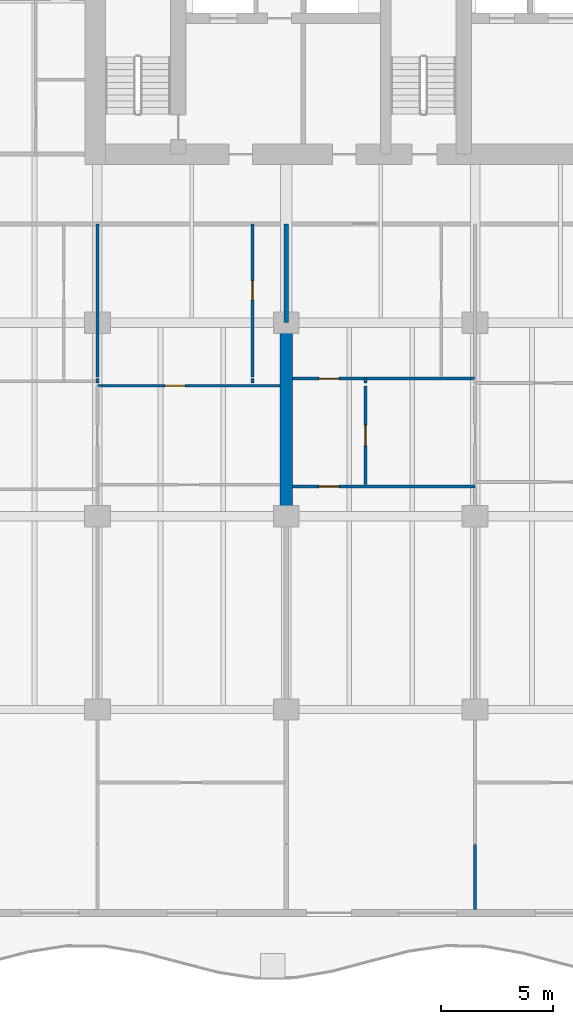
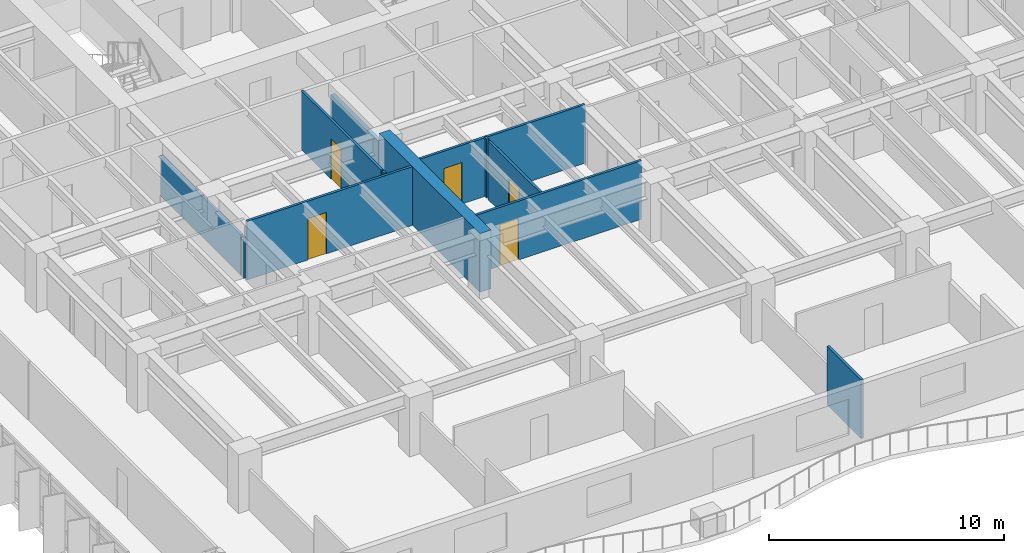
# One storey, part 7 of 17: 12 walls, 5 doors, 5 openings.
"""IFC4 building model written with IfcOpenShell, lengths in metres."""

from ifc_helpers import new_model, si_unit, direction, frame, frame_2d, origin, place, context, subcontext, project, spatial, rectangle, extrude, material, layer, layer_set, type_object, element, fill, save


model = new_model("IFC4")

# Units and contexts
model_context = context("Model", 3, precision=1e-05, world=origin(), true_north=direction((0.0, 1.0)))
body_context = subcontext(model_context, "Body", "Model", "MODEL_VIEW")
ifc_project = project(units=[si_unit("LENGTHUNIT", "METRE"), si_unit("AREAUNIT", "SQUARE_METRE"), si_unit("VOLUMEUNIT", "CUBIC_METRE"), si_unit("PLANEANGLEUNIT", "RADIAN"), si_unit("MASSUNIT", "GRAM", prefix="KILO")], contexts=[model_context])

# Site, building, storey
site_placement = place(None, origin())
site = spatial("IfcSite", under=ifc_project, at=site_placement, CompositionType="ELEMENT")
building_placement = place(site_placement, origin())
building = spatial("IfcBuilding", under=site, at=building_placement, Name="Caelmar Bay Residences", CompositionType="ELEMENT")
storey_placement = place(building_placement, frame((0.0, 0.0, 63.0)))
storey = spatial("IfcBuildingStorey", under=building, at=storey_placement, Name="L16", CompositionType="ELEMENT", Elevation=63.0)

# Walls
ifc_material_1 = material(Name="Concrete f'c 70 MPa (10,000 psi)", Category="concrete")
ifc_layer_1 = layer(ifc_material_1, 0.550048828125)
ifc_layer_set_1 = layer_set([ifc_layer_1], Name="Concrete f'c 70 MPa (10,000 psi)")
wall_type_1 = type_object("IfcWallType", Name="SW-XSLB-550", PredefinedType="SHEAR", material=ifc_layer_set_1)
wall_1_placement = place(storey_placement, frame((26.699951171875, 20.800048828125, 0.0), z_axis=(0.0, 0.0, 1.0), x_axis=(0.0, 1.0, 0.0)))
element("IfcWall", 1, at=wall_1_placement, inside=storey, type_object=wall_type_1, Name="L16 Transverse Cross-Slab Shear Wall W5", PredefinedType="SHEAR", context=body_context, shape_type="SweptSolid", body=[
    extrude(rectangle(XDim=8.599853515625, YDim=0.550048828125, at=frame_2d((4.2998046875, 0.0))), origin(), (0.0, 0.0, 1.0), 3.050048828125),
])
ifc_material_2 = material(Name="Acoustic metal-stud gypsum partition 120 mm")
ifc_layer_2 = layer(ifc_material_2, 0.1201171875)
ifc_layer_set_2 = layer_set([ifc_layer_2], Name="Acoustic metal-stud gypsum partition 120 mm")
wall_type_2 = type_object("IfcWallType", Name="W-PRT-120", PredefinedType="PARTITIONING", material=ifc_layer_set_2)
wall_2_placement = place(storey_placement, frame((18.300048828125, 26.719970703125, 0.0), z_axis=(0.0, 0.0, 1.0), x_axis=(0.0, 1.0, 0.0)))
element("IfcWall", 2, at=wall_2_placement, inside=storey, type_object=wall_type_2, Name="L16 Partition Wall V022", PredefinedType="PARTITIONING", context=body_context, shape_type="SweptSolid", body=[
    extrude(rectangle(XDim=0.199951171875, YDim=0.1201171875, at=frame_2d((0.10009765625, 0.0))), origin(), (0.0, 0.0, 1.0), 2.110107421875),
])
wall_3_placement = place(storey_placement, frame((18.300048828125, 26.97998046875, 0.0), z_axis=(0.0, 0.0, 1.0), x_axis=(0.0, 1.0, 0.0)))
element("IfcWall", 3, at=wall_3_placement, inside=storey, type_object=wall_type_2, Name="L16 Partition Wall V023", PredefinedType="PARTITIONING", context=body_context, shape_type="SweptSolid", body=[
    extrude(rectangle(XDim=6.820068359375, YDim=0.1201171875, at=frame_2d((3.41015625, 0.0))), origin(), (0.0, 0.0, 1.0), 2.110107421875),
])
wall_4_placement = place(storey_placement, frame((25.199951171875, 26.719970703125, 0.0), z_axis=(0.0, 0.0, 1.0), x_axis=(0.0, 1.0, 0.0)))
element("IfcWall", 4, at=wall_4_placement, inside=storey, type_object=wall_type_2, Name="L16 Partition Wall V025", PredefinedType="PARTITIONING", context=body_context, shape_type="SweptSolid", body=[
    extrude(rectangle(XDim=0.199951171875, YDim=0.1201171875, at=frame_2d((0.10009765625, 0.0))), origin(), (0.0, 0.0, 1.0), 3.050048828125),
])

# Wall, opening, door
wall_5_placement = place(storey_placement, frame((25.199951171875, 26.97998046875, 0.0), z_axis=(0.0, 0.0, 1.0), x_axis=(0.0, 1.0, 0.0)))
wall_5 = element("IfcWall", 5, at=wall_5_placement, inside=storey, type_object=wall_type_2, Name="L16 Partition Wall V026", PredefinedType="PARTITIONING", context=body_context, shape_type="SweptSolid", body=[
    extrude(rectangle(XDim=6.820068359375, YDim=0.1201171875, at=frame_2d((3.41015625, 0.0))), origin(), (0.0, 0.0, 1.0), 3.050048828125),
])
opening_1_placement = place(wall_5_placement, frame((3.43505859375, 0.0, 0.0)))
opening_1 = element("IfcOpeningElement", 6, at=opening_1_placement, cuts=wall_5, Name="Opening D-L16-130", PredefinedType="OPENING", context=body_context, shape_type="SweptSolid", body=[
    extrude(rectangle(XDim=0.85009765625, YDim=2.10009765625, at=frame_2d((0.425048828125, 1.050048828125))), frame((0.0, 0.070068359375, 0.0), z_axis=(0.0, -1.0, 0.0), x_axis=(1.0, 0.0, 0.0)), (0.0, 0.0, 1.0), 0.14013671875),
])
ifc_material_3 = material(Name="Solid walnut timber interior door leaf and frame", Category="wood")
ifc_layer_3 = layer(ifc_material_3, 0.050048828125)
ifc_layer_set_3 = layer_set([ifc_layer_3], Name="Solid walnut timber interior door leaf and frame")
door_type_1 = type_object("IfcDoorType", Name="D-BATH-850", OperationType="NOTDEFINED", PredefinedType="DOOR", material=ifc_layer_set_3)
door_1_placement = place(opening_1_placement, origin())
door_1 = element("IfcDoor", 7, at=door_1_placement, inside=storey, type_object=door_type_1, Name="L16 Residence 01 En-Suite Bathroom 1 Door", OperationType="SINGLE_SWING_LEFT", OverallHeight=2.10009765625, OverallWidth=0.85009765625, PredefinedType="DOOR", context=body_context, shape_type="SweptSolid", body=[
    extrude(rectangle(XDim=0.85009765625, YDim=2.10009765625, at=frame_2d((0.425048828125, 1.050048828125))), frame((0.0, 0.02490234375, 0.0), z_axis=(0.0, -1.0, 0.0), x_axis=(1.0, 0.0, 0.0)), (0.0, 0.0, 1.0), 0.050048828125),
])
fill(opening_1, door_1)

wall_6_placement = place(storey_placement, frame((30.22802734375, 22.199951171875, 0.0), z_axis=(0.0, 0.0, 1.0), x_axis=(0.0, 1.0, 0.0)))
wall_6 = element("IfcWall", 8, at=wall_6_placement, inside=storey, type_object=wall_type_2, Name="L16 Partition Wall V034", PredefinedType="PARTITIONING", context=body_context, shape_type="SweptSolid", body=[
    extrude(rectangle(XDim=4.380126953125, YDim=0.1201171875, at=frame_2d((2.18994140625, 0.0))), origin(), (0.0, 0.0, 1.0), 3.050048828125),
])
opening_2_placement = place(wall_6_placement, frame((1.739990234375, 0.0, 0.0)))
opening_2 = element("IfcOpeningElement", 9, at=opening_2_placement, cuts=wall_6, Name="Opening D-L16-137", PredefinedType="OPENING", context=body_context, shape_type="SweptSolid", body=[
    extrude(rectangle(XDim=0.89990234375, YDim=2.14990234375, at=frame_2d((0.449951171875, 1.074951171875))), frame((0.0, 0.070068359375, 0.0), z_axis=(0.0, -1.0, 0.0), x_axis=(1.0, 0.0, 0.0)), (0.0, 0.0, 1.0), 0.14013671875),
])
ifc_layer_4 = layer(ifc_material_3, 0.050048828125)
ifc_layer_set_4 = layer_set([ifc_layer_4], Name="Solid walnut timber interior door leaf and frame")
door_type_2 = type_object("IfcDoorType", Name="D-ROOM-900", OperationType="NOTDEFINED", PredefinedType="DOOR", material=ifc_layer_set_4)
door_2_placement = place(opening_2_placement, origin())
door_2 = element("IfcDoor", 10, at=door_2_placement, inside=storey, type_object=door_type_2, Name="L16 Residence 02 Kitchen Door", OperationType="SINGLE_SWING_RIGHT", OverallHeight=2.14990234375, OverallWidth=0.89990234375, PredefinedType="DOOR", context=body_context, shape_type="SweptSolid", body=[
    extrude(rectangle(XDim=0.89990234375, YDim=2.14990234375, at=frame_2d((0.449951171875, 1.074951171875))), frame((0.0, 0.02490234375, 0.0), z_axis=(0.0, -1.0, 0.0), x_axis=(1.0, 0.0, 0.0)), (0.0, 0.0, 1.0), 0.050048828125),
])
fill(opening_2, door_2)

# Walls
wall_7_placement = place(storey_placement, frame((30.22802734375, 26.719970703125, 0.0), z_axis=(0.0, 0.0, 1.0), x_axis=(0.0, 1.0, 0.0)))
element("IfcWall", 11, at=wall_7_placement, inside=storey, type_object=wall_type_2, Name="L16 Partition Wall V035", PredefinedType="PARTITIONING", context=body_context, shape_type="SweptSolid", body=[
    extrude(rectangle(XDim=0.199951171875, YDim=0.1201171875, at=frame_2d((0.10009765625, 0.0))), origin(), (0.0, 0.0, 1.0), 3.050048828125),
])
wall_8_placement = place(storey_placement, frame((35.10009765625, 3.294921875, 0.0), z_axis=(0.0, 0.0, 1.0), x_axis=(0.0, 1.0, 0.0)))
element("IfcWall", 12, at=wall_8_placement, inside=storey, type_object=wall_type_2, Name="L16 Partition Wall V038", PredefinedType="PARTITIONING", context=body_context, shape_type="SweptSolid", body=[
    extrude(rectangle(XDim=2.905029296875, YDim=0.1201171875, at=frame_2d((1.45263671875, 0.0))), origin(), (0.0, 0.0, 1.0), 3.050048828125),
])

# Wall, opening, door
wall_9_placement = place(storey_placement, frame((26.969970703125, 22.1201171875, 0.0), z_axis=(0.0, 0.0, 1.0), x_axis=(1.0, 0.0, 0.0)))
wall_9 = element("IfcWall", 13, at=wall_9_placement, inside=storey, type_object=wall_type_2, Name="L16 Partition Wall H110", PredefinedType="PARTITIONING", context=body_context, shape_type="SweptSolid", body=[
    extrude(rectangle(XDim=8.130126953125, YDim=0.1201171875, at=frame_2d((4.06494140625, 0.0))), origin(), (0.0, 0.0, 1.0), 3.050048828125),
])
opening_3_placement = place(wall_9_placement, frame((1.178955078125, 0.0, 0.0)))
opening_3 = element("IfcOpeningElement", 14, at=opening_3_placement, cuts=wall_9, Name="Opening D-L16-138", PredefinedType="OPENING", context=body_context, shape_type="SweptSolid", body=[
    extrude(rectangle(XDim=0.89990234375, YDim=2.14990234375, at=frame_2d((0.449951171875, 1.074951171875))), frame((0.0, 0.070068359375, 0.0), z_axis=(0.0, -1.0, 0.0), x_axis=(1.0, 0.0, 0.0)), (0.0, 0.0, 1.0), 0.14013671875),
])
door_3_placement = place(opening_3_placement, origin())
door_3 = element("IfcDoor", 15, at=door_3_placement, inside=storey, type_object=door_type_2, Name="L16 Residence 02 Penthouse Living Salon Door", OperationType="SINGLE_SWING_LEFT", OverallHeight=2.14990234375, OverallWidth=0.89990234375, PredefinedType="DOOR", context=body_context, shape_type="SweptSolid", body=[
    extrude(rectangle(XDim=0.89990234375, YDim=2.14990234375, at=frame_2d((0.449951171875, 1.074951171875))), frame((0.0, 0.02490234375, 0.0), z_axis=(0.0, -1.0, 0.0), x_axis=(1.0, 0.0, 0.0)), (0.0, 0.0, 1.0), 0.050048828125),
])
fill(opening_3, door_3)

wall_10_placement = place(storey_placement, frame((18.300048828125, 26.60009765625, 0.0), z_axis=(0.0, 0.0, 1.0), x_axis=(1.0, 0.0, 0.0)))
wall_10 = element("IfcWall", 16, at=wall_10_placement, inside=storey, type_object=wall_type_2, Name="L16 Partition Wall H114", PredefinedType="PARTITIONING", context=body_context, shape_type="SweptSolid", body=[
    extrude(rectangle(XDim=8.1298828125, YDim=0.1201171875, at=frame_2d((4.06494140625, 0.0))), origin(), (0.0, 0.0, 1.0), 3.050048828125),
])
opening_4_placement = place(wall_10_placement, frame((3.0, 0.0, 0.0)))
opening_4 = element("IfcOpeningElement", 17, at=opening_4_placement, cuts=wall_10, Name="Opening D-L16-129", PredefinedType="OPENING", context=body_context, shape_type="SweptSolid", body=[
    extrude(rectangle(XDim=0.89990234375, YDim=2.14990234375, at=frame_2d((0.449951171875, 1.074951171875))), frame((0.0, 0.070068359375, 0.0), z_axis=(0.0, -1.0, 0.0), x_axis=(1.0, 0.0, 0.0)), (0.0, 0.0, 1.0), 0.14013671875),
])
door_4_placement = place(opening_4_placement, origin())
door_4 = element("IfcDoor", 18, at=door_4_placement, inside=storey, type_object=door_type_2, Name="L16 Residence 01 Private Meeting Room 1 Door", OperationType="SINGLE_SWING_RIGHT", OverallHeight=2.14990234375, OverallWidth=0.89990234375, PredefinedType="DOOR", context=body_context, shape_type="SweptSolid", body=[
    extrude(rectangle(XDim=0.89990234375, YDim=2.14990234375, at=frame_2d((0.449951171875, 1.074951171875))), frame((0.0, 0.02490234375, 0.0), z_axis=(0.0, -1.0, 0.0), x_axis=(1.0, 0.0, 0.0)), (0.0, 0.0, 1.0), 0.050048828125),
])
fill(opening_4, door_4)

wall_11_placement = place(storey_placement, frame((26.969970703125, 26.919921875, 0.0), z_axis=(0.0, 0.0, 1.0), x_axis=(1.0, 0.0, 0.0)))
wall_11 = element("IfcWall", 19, at=wall_11_placement, inside=storey, type_object=wall_type_2, Name="L16 Partition Wall H118", PredefinedType="PARTITIONING", context=body_context, shape_type="SweptSolid", body=[
    extrude(rectangle(XDim=8.130126953125, YDim=0.1201171875, at=frame_2d((4.06494140625, 0.0))), origin(), (0.0, 0.0, 1.0), 3.050048828125),
])
opening_5_placement = place(wall_11_placement, frame((1.178955078125, 0.0, 0.0)))
opening_5 = element("IfcOpeningElement", 20, at=opening_5_placement, cuts=wall_11, Name="Opening D-L16-136", PredefinedType="OPENING", context=body_context, shape_type="SweptSolid", body=[
    extrude(rectangle(XDim=0.89990234375, YDim=2.14990234375, at=frame_2d((0.449951171875, 1.074951171875))), frame((0.0, 0.070068359375, 0.0), z_axis=(0.0, -1.0, 0.0), x_axis=(1.0, 0.0, 0.0)), (0.0, 0.0, 1.0), 0.14013671875),
])
door_5_placement = place(opening_5_placement, origin())
door_5 = element("IfcDoor", 21, at=door_5_placement, inside=storey, type_object=door_type_2, Name="L16 Residence 02 Dining Room Door", OperationType="SINGLE_SWING_LEFT", OverallHeight=2.14990234375, OverallWidth=0.89990234375, PredefinedType="DOOR", context=body_context, shape_type="SweptSolid", body=[
    extrude(rectangle(XDim=0.89990234375, YDim=2.14990234375, at=frame_2d((0.449951171875, 1.074951171875))), frame((0.0, 0.02490234375, 0.0), z_axis=(0.0, -1.0, 0.0), x_axis=(1.0, 0.0, 0.0)), (0.0, 0.0, 1.0), 0.050048828125),
])
fill(opening_5, door_5)

# Wall
ifc_material_4 = material(Name="Acoustic twin-stud fire-rated inter-tenancy partition 200 mm")
ifc_layer_5 = layer(ifc_material_4, 0.199951171875)
ifc_layer_set_5 = layer_set([ifc_layer_5], Name="Acoustic twin-stud fire-rated inter-tenancy partition 200 mm")
wall_type_3 = type_object("IfcWallType", Name="W-PTY-200", PredefinedType="PARTITIONING", material=ifc_layer_set_5)
wall_12_placement = place(storey_placement, frame((26.699951171875, 29.405029296875, 0.0), z_axis=(0.0, 0.0, 1.0), x_axis=(0.0, 1.0, 0.0)))
element("IfcWall", 22, at=wall_12_placement, inside=storey, type_object=wall_type_3, Name="L16 Partition Wall V031", PredefinedType="PARTITIONING", context=body_context, shape_type="SweptSolid", body=[
    extrude(rectangle(XDim=4.39501953125, YDim=0.199951171875, at=frame_2d((2.197509765625, 0.0))), origin(), (0.0, 0.0, 1.0), 2.3349609375),
])

save(model, "model.ifc")
